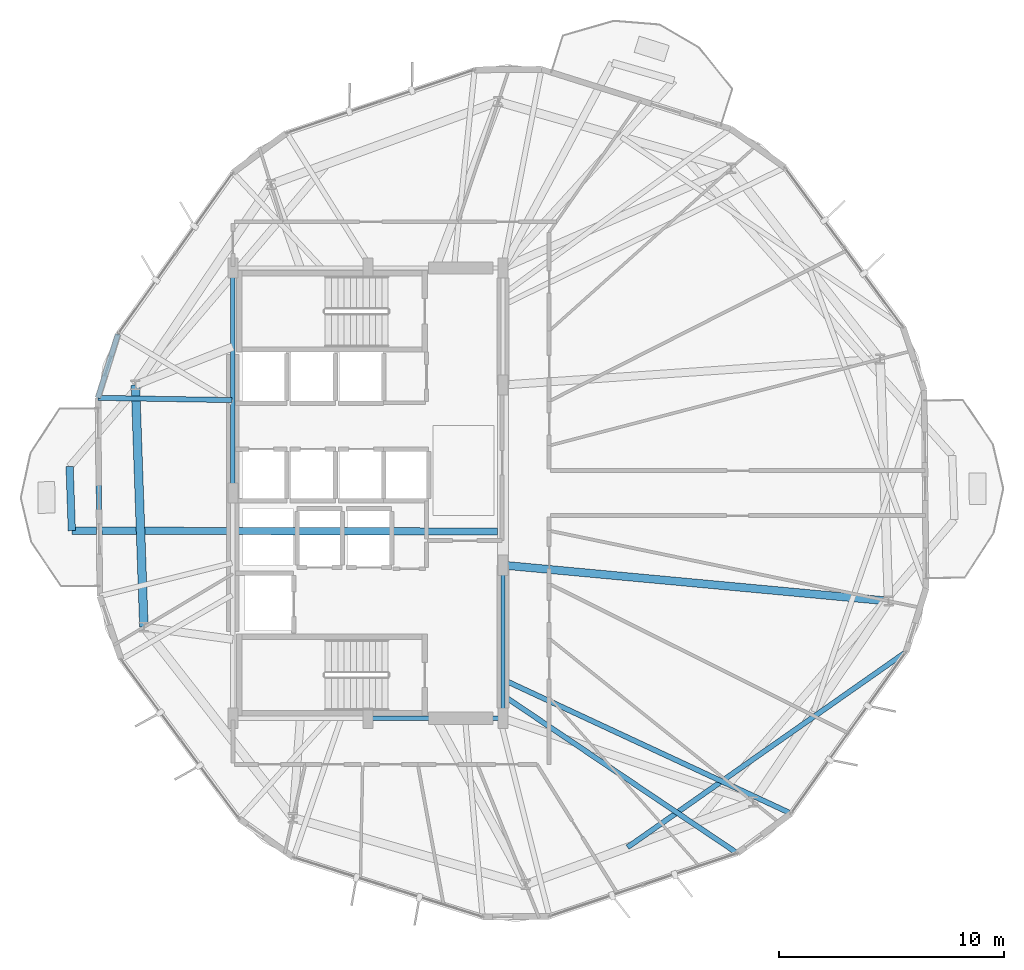
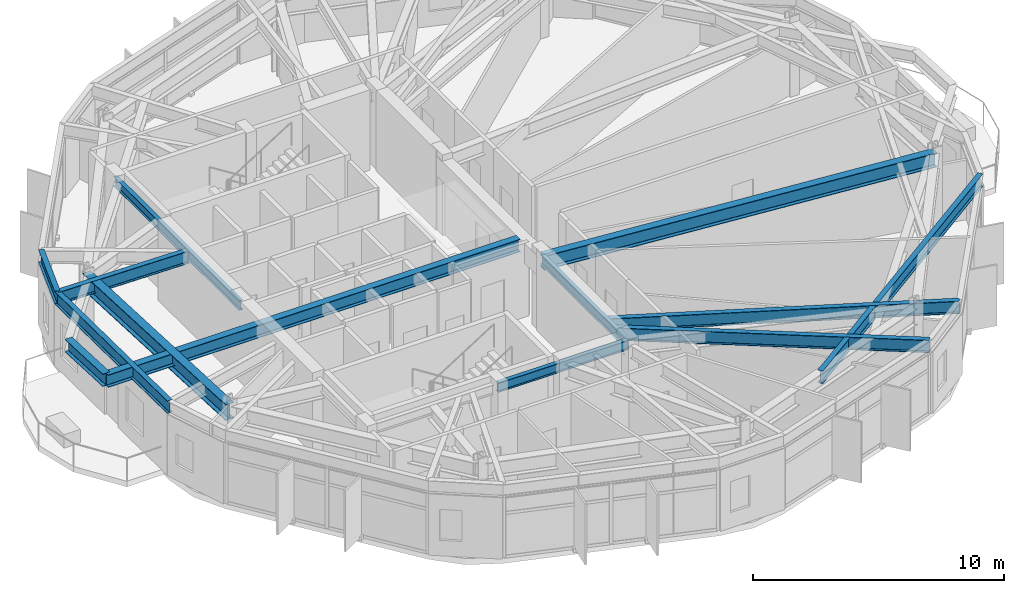
# One storey, part 7 of 27: 13 beams.
"""IFC4 building model written with IfcOpenShell, lengths in metres."""

from ifc_helpers import new_model, si_unit, direction, frame, origin, origin_2d, place, context, subcontext, project, spatial, i_section, extrude, material, material_profile, profile_set, type_object, element, save


model = new_model("IFC4")

# Units and contexts
model_context = context("Model", 3, precision=1e-05, world=origin(), true_north=direction((0.0, 1.0)))
body_context = subcontext(model_context, "Body", "Model", "MODEL_VIEW")
ifc_project = project(units=[si_unit("LENGTHUNIT", "METRE"), si_unit("AREAUNIT", "SQUARE_METRE"), si_unit("VOLUMEUNIT", "CUBIC_METRE"), si_unit("PLANEANGLEUNIT", "RADIAN"), si_unit("MASSUNIT", "GRAM", prefix="KILO")], contexts=[model_context])

# Site, building, storey
site_placement = place(None, origin())
site = spatial("IfcSite", under=ifc_project, at=site_placement, CompositionType="ELEMENT")
building_placement = place(site_placement, origin())
building = spatial("IfcBuilding", under=site, at=building_placement, Name="Soratama Intermodal Tower", CompositionType="ELEMENT")
storey_placement = place(building_placement, frame((0.0, 0.0, 103.0)))
storey = spatial("IfcBuildingStorey", under=building, at=storey_placement, Name="L24", CompositionType="ELEMENT", Elevation=103.0)

# Beams
ifc_material_1 = material(Name="Structural steel ASTM A992 Grade 50", Category="steel")
ifc_material_profile_1 = material_profile(ifc_material_1, i_section(OverallWidth=0.324951171875, OverallDepth=0.615966796875, WebThickness=0.013916015625, FlangeThickness=0.021484375, FilletRadius=0.013916015625, at=origin_2d()), Name="W24X117")
ifc_profile_set_1 = profile_set([ifc_material_profile_1], Name="Structural steel ASTM A992 Grade 50")
beam_type_1 = type_object("IfcBeamType", Name="BM-CANT-W24X117", PredefinedType="BEAM", material=ifc_profile_set_1)
beam_1_placement = place(storey_placement, frame((25.34912109375, 26.176025390625, 3.2919921875), z_axis=(0.034734027255, -0.999396591624, 0.0), x_axis=(0.999396591624, 0.034734027255, 0.0)))
element("IfcBeam", 1, at=beam_1_placement, inside=storey, type_object=beam_type_1, Name="BM-L24-CBHDR-3", PredefinedType="BEAM", context=body_context, shape_type="SweptSolid", body=[
    extrude(i_section(OverallWidth=0.324951171875, OverallDepth=0.615966796875, WebThickness=0.013916015625, FlangeThickness=0.021484375, FilletRadius=0.013916015625, at=origin_2d()), origin(), (0.0, 0.0, 1.0), 2.8466796875),
])
beam_2_placement = place(storey_placement, frame((44.364990234375, 23.291015625, 3.2919921875), z_axis=(-0.999997760082, 0.00211656126, 0.0), x_axis=(-0.00211656126, -0.999997760082, 0.0)))
element("IfcBeam", 2, at=beam_2_placement, inside=storey, type_object=beam_type_1, Name="BM-L24-CANT-3-2", PredefinedType="BEAM", context=body_context, shape_type="SweptSolid", body=[
    extrude(i_section(OverallWidth=0.324951171875, OverallDepth=0.615966796875, WebThickness=0.013916015625, FlangeThickness=0.021484375, FilletRadius=0.013916015625, at=origin_2d()), origin(), (0.0, 0.0, 1.0), 18.9169921875),
])
ifc_material_2 = material(Name="Structural steel ASTM A992 Grade 50", Category="steel")
ifc_material_profile_2 = material_profile(ifc_material_2, i_section(OverallWidth=0.19091796875, OverallDepth=0.4599609375, WebThickness=0.010009765625, FlangeThickness=0.01611328125, FilletRadius=0.010986328125, at=origin_2d()), Name="W18X55")
ifc_profile_set_2 = profile_set([ifc_material_profile_2], Name="Structural steel ASTM A992 Grade 50")
beam_type_2 = type_object("IfcBeamType", Name="BM-FLR-W18X55", PredefinedType="BEAM", material=ifc_profile_set_2)
beam_3_placement = place(storey_placement, frame((38.60009765625, 15.0, 3.3701171875), z_axis=(1.0, 0.0, 0.0), x_axis=(0.0, 1.0, 0.0)))
element("IfcBeam", 3, at=beam_3_placement, inside=storey, type_object=beam_type_2, Name="BM-L24-CRING-02", PredefinedType="BEAM", context=body_context, shape_type="SweptSolid", body=[
    extrude(i_section(OverallWidth=0.19091796875, OverallDepth=0.4599609375, WebThickness=0.010009765625, FlangeThickness=0.01611328125, FilletRadius=0.010986328125, at=origin_2d()), origin(), (0.0, 0.0, 1.0), 6.0),
])
beam_4_placement = place(storey_placement, frame((44.60009765625, 15.0, 3.3701171875), z_axis=(0.0, 1.0, 0.0), x_axis=(-1.0, 0.0, 0.0)))
element("IfcBeam", 4, at=beam_4_placement, inside=storey, type_object=beam_type_2, Name="BM-L24-CRING-03", PredefinedType="BEAM", context=body_context, shape_type="SweptSolid", body=[
    extrude(i_section(OverallWidth=0.19091796875, OverallDepth=0.4599609375, WebThickness=0.010009765625, FlangeThickness=0.01611328125, FilletRadius=0.010986328125, at=origin_2d()), origin(), (0.0, 0.0, 1.0), 6.800048828125),
])
beam_5_placement = place(storey_placement, frame((32.60009765625, 35.0, 3.3701171875), z_axis=(0.0, -1.0, 0.0), x_axis=(1.0, 0.0, 0.0)))
element("IfcBeam", 5, at=beam_5_placement, inside=storey, type_object=beam_type_2, Name="BM-L24-CRING-08", PredefinedType="BEAM", context=body_context, shape_type="SweptSolid", body=[
    extrude(i_section(OverallWidth=0.19091796875, OverallDepth=0.4599609375, WebThickness=0.010009765625, FlangeThickness=0.01611328125, FilletRadius=0.010986328125, at=origin_2d()), origin(), (0.0, 0.0, 1.0), 10.0),
])
ifc_material_3 = material(Name="Structural steel ASTM A992 Grade 50", Category="steel")
ifc_material_profile_3 = material_profile(ifc_material_3, i_section(OverallWidth=0.35498046875, OverallDepth=0.695068359375, WebThickness=0.015380859375, FlangeThickness=0.02490234375, FilletRadius=0.01611328125, at=origin_2d()), Name="W27X146")
ifc_profile_set_3 = profile_set([ifc_material_profile_3], Name="Structural steel ASTM A992 Grade 50")
beam_type_3 = type_object("IfcBeamType", Name="BM-RING-W27X146", PredefinedType="BEAM", material=ifc_profile_set_3)
beam_6_placement = place(storey_placement, frame((44.60009765625, 21.800048828125, 3.25244140625), z_axis=(0.995686011515, -0.092786671855, 0.0), x_axis=(0.092786671855, 0.995686011515, 0.0)))
element("IfcBeam", 6, at=beam_6_placement, inside=storey, type_object=beam_type_3, Name="BM-L24-RAD-10", PredefinedType="BEAM", context=body_context, shape_type="SweptSolid", body=[
    extrude(i_section(OverallWidth=0.35498046875, OverallDepth=0.695068359375, WebThickness=0.015380859375, FlangeThickness=0.02490234375, FilletRadius=0.01611328125, at=origin_2d()), origin(), (0.0, 0.0, 1.0), 17.2001953125),
])
ifc_material_4 = material(Name="Structural steel ASTM A992 Grade 50", Category="steel")
ifc_material_profile_4 = material_profile(ifc_material_4, i_section(OverallWidth=0.382080078125, OverallDepth=0.779052734375, WebThickness=0.01806640625, FlangeThickness=0.030029296875, FilletRadius=0.01806640625, at=origin_2d()), Name="W30X191")
ifc_profile_set_4 = profile_set([ifc_material_profile_4], Name="Structural steel ASTM A992 Grade 50")
beam_type_4 = type_object("IfcBeamType", Name="BM-RING-W30X191", PredefinedType="BEAM", material=ifc_profile_set_4)
beam_7_placement = place(storey_placement, frame((28.27392578125, 29.7958984375, 3.21044921875), z_axis=(0.034872799059, -0.999391758964, 0.0), x_axis=(0.999391758964, 0.034872799059, 0.0)))
element("IfcBeam", 7, at=beam_7_placement, inside=storey, type_object=beam_type_4, Name="BM-L24-RING-05", PredefinedType="BEAM", context=body_context, shape_type="SweptSolid", body=[
    extrude(i_section(OverallWidth=0.382080078125, OverallDepth=0.779052734375, WebThickness=0.01806640625, FlangeThickness=0.030029296875, FilletRadius=0.01806640625, at=origin_2d()), origin(), (0.0, 0.0, 1.0), 10.75341796875),
])
ifc_material_5 = material(Name="Structural steel ASTM A992 Grade 50", Category="steel")
ifc_material_profile_5 = material_profile(ifc_material_5, i_section(OverallWidth=0.22900390625, OverallDepth=0.612060546875, WebThickness=0.011962890625, FlangeThickness=0.01953125, FilletRadius=0.012939453125, at=origin_2d()), Name="W24X84")
ifc_profile_set_5 = profile_set([ifc_material_profile_5], Name="Structural steel ASTM A992 Grade 50")
beam_type_5 = type_object("IfcBeamType", Name="BM-SPN-W24X84", PredefinedType="SPANDREL", material=ifc_profile_set_5)
beam_8_placement = place(storey_placement, frame((27.4970703125, 32.06005859375, 3.2939453125), z_axis=(-0.300036293242, -0.953927786962, 0.0), x_axis=(0.953927786962, -0.300036293242, 0.0)))
element("IfcBeam", 8, at=beam_8_placement, inside=storey, type_object=beam_type_5, Name="BS-L24-CRN04", PredefinedType="SPANDREL", context=body_context, shape_type="SweptSolid", body=[
    extrude(i_section(OverallWidth=0.22900390625, OverallDepth=0.612060546875, WebThickness=0.011962890625, FlangeThickness=0.01953125, FilletRadius=0.012939453125, at=origin_2d()), origin(), (0.0, 0.0, 1.0), 2.966796875),
])
beam_9_placement = place(storey_placement, frame((26.60693359375, 29.22998046875, 3.2939453125), z_axis=(0.009425958451, -0.999955574667, 0.0), x_axis=(0.999955574667, 0.009425958451, 0.0)))
element("IfcBeam", 9, at=beam_9_placement, inside=storey, type_object=beam_type_5, Name="BS-L24-F05", PredefinedType="SPANDREL", context=body_context, shape_type="SweptSolid", body=[
    extrude(i_section(OverallWidth=0.22900390625, OverallDepth=0.612060546875, WebThickness=0.011962890625, FlangeThickness=0.01953125, FilletRadius=0.012939453125, at=origin_2d()), origin(), (0.0, 0.0, 1.0), 8.806396484375),
])
ifc_material_6 = material(Name="Structural steel ASTM A992 Grade 50", Category="steel")
ifc_material_profile_6 = material_profile(ifc_material_6, i_section(OverallWidth=0.22900390625, OverallDepth=0.612060546875, WebThickness=0.011962890625, FlangeThickness=0.01953125, FilletRadius=0.012939453125, at=origin_2d()), Name="W24X84")
ifc_profile_set_6 = profile_set([ifc_material_profile_6], Name="Structural steel ASTM A992 Grade 50")
beam_type_6 = type_object("IfcBeamType", Name="BM-TIE-W24X84", PredefinedType="BEAM", material=ifc_profile_set_6)
beam_10_placement = place(storey_placement, frame((32.56005859375, 29.131103515625, 3.2939453125), z_axis=(-0.999862094906, 0.016606961468, 0.0), x_axis=(-0.016606961468, -0.999862094906, 0.0)))
element("IfcBeam", 10, at=beam_10_placement, inside=storey, type_object=beam_type_6, Name="BM-L24-TIE0-05", PredefinedType="BEAM", context=body_context, shape_type="SweptSolid", body=[
    extrude(i_section(OverallWidth=0.22900390625, OverallDepth=0.612060546875, WebThickness=0.011962890625, FlangeThickness=0.01953125, FilletRadius=0.012939453125, at=origin_2d()), origin(), (0.0, 0.0, 1.0), 5.953857421875),
])
beam_11_placement = place(storey_placement, frame((44.633056640625, 15.990966796875, 3.2939453125), z_axis=(0.829383969687, -0.558679005178, 0.0), x_axis=(0.558679005178, 0.829383969687, 0.0)))
element("IfcBeam", 11, at=beam_11_placement, inside=storey, type_object=beam_type_6, Name="BM-L24-TIE1-08", PredefinedType="BEAM", context=body_context, shape_type="SweptSolid", body=[
    extrude(i_section(OverallWidth=0.22900390625, OverallDepth=0.612060546875, WebThickness=0.011962890625, FlangeThickness=0.01953125, FilletRadius=0.012939453125, at=origin_2d()), origin(), (0.0, 0.0, 1.0), 12.51171875),
])
beam_12_placement = place(storey_placement, frame((44.635986328125, 16.702880859375, 3.2939453125), z_axis=(0.906671886247, -0.421836568696, 0.0), x_axis=(0.421836568696, 0.906671886247, 0.0)))
element("IfcBeam", 12, at=beam_12_placement, inside=storey, type_object=beam_type_6, Name="BM-L24-TIE0-09", PredefinedType="BEAM", context=body_context, shape_type="SweptSolid", body=[
    extrude(i_section(OverallWidth=0.22900390625, OverallDepth=0.612060546875, WebThickness=0.011962890625, FlangeThickness=0.01953125, FilletRadius=0.012939453125, at=origin_2d()), origin(), (0.0, 0.0, 1.0), 14.0712890625),
])
beam_13_placement = place(storey_placement, frame((50.134033203125, 9.26904296875, 3.2939453125), z_axis=(0.818816341497, 0.574055571263, 0.0), x_axis=(-0.574055571263, 0.818816341497, 0.0)))
element("IfcBeam", 13, at=beam_13_placement, inside=storey, type_object=beam_type_6, Name="BM-L24-TIE1-09", PredefinedType="BEAM", context=body_context, shape_type="SweptSolid", body=[
    extrude(i_section(OverallWidth=0.22900390625, OverallDepth=0.612060546875, WebThickness=0.011962890625, FlangeThickness=0.01953125, FilletRadius=0.012939453125, at=origin_2d()), origin(), (0.0, 0.0, 1.0), 15.104736328125),
])

save(model, "model.ifc")
